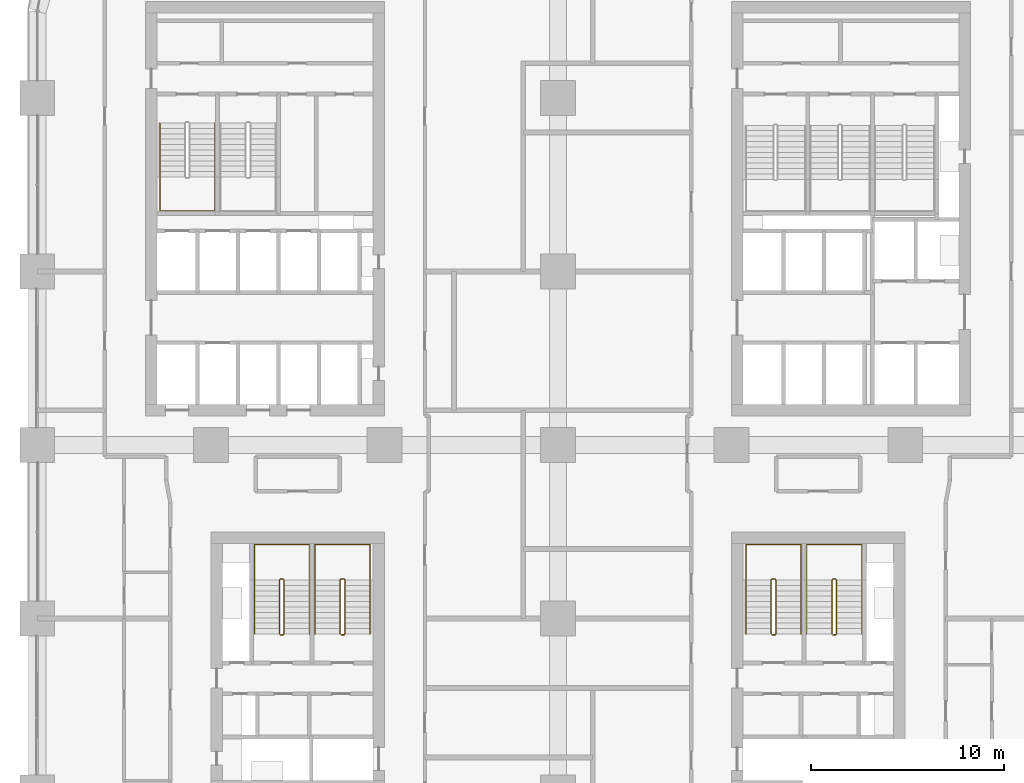
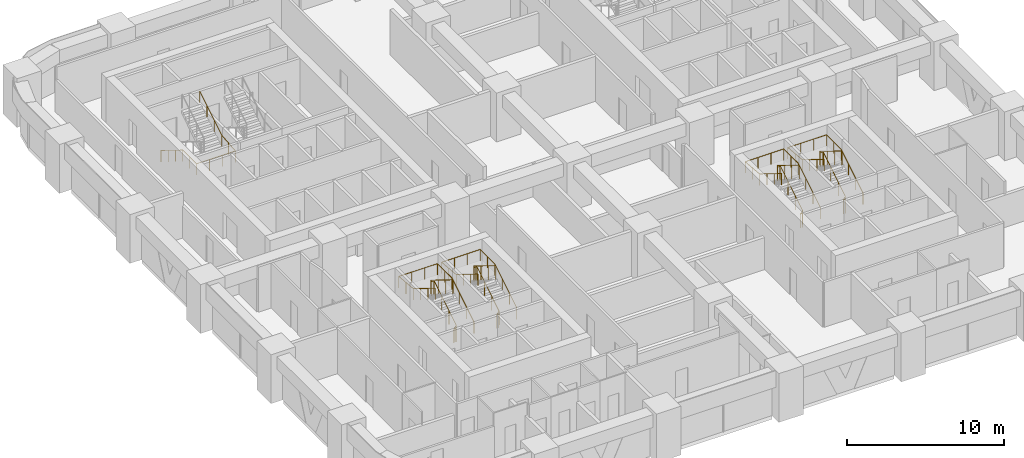
# One storey, part 20 of 21: 9 railings.
"""IFC4 building model written with IfcOpenShell, lengths in metres."""

from ifc_helpers import new_model, si_unit, direction, frame, origin, origin_2d, place, context, subcontext, project, spatial, circle, extrude, material, type_object, element, save


model = new_model("IFC4")

# Units and contexts
model_context = context("Model", 3, precision=1e-05, world=origin(), true_north=direction((0.0, 1.0)))
body_context = subcontext(model_context, "Body", "Model", "MODEL_VIEW")
ifc_project = project(units=[si_unit("LENGTHUNIT", "METRE"), si_unit("AREAUNIT", "SQUARE_METRE"), si_unit("VOLUMEUNIT", "CUBIC_METRE"), si_unit("PLANEANGLEUNIT", "RADIAN"), si_unit("MASSUNIT", "GRAM", prefix="KILO")], contexts=[model_context])

# Site, building, storey
site_placement = place(None, origin())
site = spatial("IfcSite", under=ifc_project, at=site_placement, CompositionType="ELEMENT")
building_placement = place(site_placement, origin())
building = spatial("IfcBuilding", under=site, at=building_placement, Name="Tessera Arch", CompositionType="ELEMENT")
storey_placement = place(building_placement, frame((0.0, 0.0, 69.0)))
storey = spatial("IfcBuildingStorey", under=building, at=storey_placement, Name="L15", CompositionType="ELEMENT", Elevation=69.0)

# Railings
ifc_material_1 = material(Name="Painted steel balustrade", Category="steel")
railing_type_1 = type_object("IfcRailingType", Name="Stair guard 1100", PredefinedType="GUARDRAIL", material=ifc_material_1)
railing_1_placement = place(storey_placement, frame((38.25, 17.14990234375, 0.0)))
element("IfcRailing", 1, at=railing_1_placement, inside=storey, type_object=railing_type_1, Name="L15 S3a stair guard 1", PredefinedType="GUARDRAIL", context=body_context, shape_type="SweptSolid", body=[
    extrude(circle(Radius=0.02392578125, at=origin_2d()), frame((0.00390625, 0.0, 1.076171875), z_axis=(-1.0, 0.0, 0.0), x_axis=(0.0, -1.0, 0.0)), (0.0, 0.0, 1.0), 0.157958984375),
    extrude(circle(Radius=0.02392578125, at=origin_2d()), frame((-0.15283203125, -0.000732421875, 1.073486328125), z_axis=(0.743736083135, 0.18616104645, 0.642028584587), x_axis=(-0.242814311512, 0.970072785993, 0.0)), (0.0, 0.0, 1.0), 0.27685546875),
    extrude(circle(Radius=0.02392578125, at=origin_2d()), frame((0.050048828125, 0.046630859375, 1.24658203125), z_axis=(0.0, 0.851089632645, 0.525020415988), x_axis=(-1.0, 0.0, 0.0)), (0.0, 0.0, 1.0), 3.2978515625),
    extrude(circle(Radius=0.02392578125, at=origin_2d()), frame((0.052978515625, 2.84716796875, 2.97607421875), z_axis=(-0.707106781187, 0.707106781187, 0.0), x_axis=(-0.707106781187, -0.707106781187, 0.0)), (0.0, 0.0, 1.0), 0.078857421875),
    extrude(circle(Radius=0.02392578125, at=origin_2d()), frame((0.00390625, 2.900146484375, 2.97607421875), z_axis=(-1.0, 0.0, 0.0), x_axis=(0.0, -1.0, 0.0)), (0.0, 0.0, 1.0), 0.157958984375),
    extrude(circle(Radius=0.02392578125, at=origin_2d()), frame((-0.14892578125, 2.901123046875, 2.97216796875), z_axis=(-0.267953482034, -0.267953482034, 0.925419830635), x_axis=(0.707106781187, -0.707106781187, 0.0)), (0.0, 0.0, 1.0), 0.19482421875),
    extrude(circle(Radius=0.02392578125, at=origin_2d()), frame((-0.199951171875, 2.853515625, 3.146728515625), z_axis=(0.0, -0.851089632645, 0.525020415988), x_axis=(1.0, 0.0, 0.0)), (0.0, 0.0, 1.0), 3.2978515625),
    extrude(circle(Radius=0.02099609375, at=origin_2d()), origin(), (0.0, 0.0, 1.0), 1.06396484375),
    extrude(circle(Radius=0.02099609375, at=origin_2d()), frame((-0.14990234375, 0.0, 0.0)), (0.0, 0.0, 1.0), 1.06396484375),
    extrude(circle(Radius=0.02099609375, at=origin_2d()), frame((0.050048828125, 0.050048828125, 0.172607421875)), (0.0, 0.0, 1.0), 1.06396484375),
    extrude(circle(Radius=0.02099609375, at=origin_2d()), frame((0.050048828125, 0.9833984375, 0.748291015625)), (0.0, 0.0, 1.0), 1.06396484375),
    extrude(circle(Radius=0.02099609375, at=origin_2d()), frame((0.050048828125, 1.916748046875, 1.32421875)), (0.0, 0.0, 1.0), 1.06396484375),
    extrude(circle(Radius=0.02099609375, at=origin_2d()), frame((0.050048828125, 2.85009765625, 1.89990234375)), (0.0, 0.0, 1.0), 1.06396484375),
    extrude(circle(Radius=0.02099609375, at=origin_2d()), frame((0.0, 2.900146484375, 1.89990234375)), (0.0, 0.0, 1.0), 1.06396484375),
    extrude(circle(Radius=0.02099609375, at=origin_2d()), frame((-0.14990234375, 2.900146484375, 1.89990234375)), (0.0, 0.0, 1.0), 1.06396484375),
    extrude(circle(Radius=0.02099609375, at=origin_2d()), frame((-0.199951171875, 2.85009765625, 2.07275390625)), (0.0, 0.0, 1.0), 1.06396484375),
    extrude(circle(Radius=0.02099609375, at=origin_2d()), frame((-0.199951171875, 1.916748046875, 2.6484375)), (0.0, 0.0, 1.0), 1.06396484375),
    extrude(circle(Radius=0.02099609375, at=origin_2d()), frame((-0.199951171875, 0.9833984375, 3.224365234375)), (0.0, 0.0, 1.0), 1.06396484375),
    extrude(circle(Radius=0.02099609375, at=origin_2d()), frame((-0.199951171875, 0.050048828125, 3.800048828125)), (0.0, 0.0, 1.0), 1.06396484375),
])
railing_2_placement = place(storey_placement, frame((41.39990234375, 17.14990234375, 0.0)))
element("IfcRailing", 2, at=railing_2_placement, inside=storey, type_object=railing_type_1, Name="L15 S3b stair guard 1", PredefinedType="GUARDRAIL", context=body_context, shape_type="SweptSolid", body=[
    extrude(circle(Radius=0.02392578125, at=origin_2d()), frame((0.00390625, 0.0, 1.076171875), z_axis=(-1.0, 0.0, 0.0), x_axis=(0.0, -1.0, 0.0)), (0.0, 0.0, 1.0), 0.157958984375),
    extrude(circle(Radius=0.02392578125, at=origin_2d()), frame((-0.15283203125, -0.000732421875, 1.073486328125), z_axis=(0.743736083135, 0.18616104645, 0.642028584587), x_axis=(-0.242814311512, 0.970072785993, 0.0)), (0.0, 0.0, 1.0), 0.27685546875),
    extrude(circle(Radius=0.02392578125, at=origin_2d()), frame((0.050048828125, 0.046630859375, 1.24658203125), z_axis=(0.0, 0.851089632645, 0.525020415988), x_axis=(-1.0, 0.0, 0.0)), (0.0, 0.0, 1.0), 3.2978515625),
    extrude(circle(Radius=0.02392578125, at=origin_2d()), frame((0.052978515625, 2.84716796875, 2.97607421875), z_axis=(-0.707106781187, 0.707106781187, 0.0), x_axis=(-0.707106781187, -0.707106781187, 0.0)), (0.0, 0.0, 1.0), 0.078857421875),
    extrude(circle(Radius=0.02392578125, at=origin_2d()), frame((0.00390625, 2.900146484375, 2.97607421875), z_axis=(-1.0, 0.0, 0.0), x_axis=(0.0, -1.0, 0.0)), (0.0, 0.0, 1.0), 0.157958984375),
    extrude(circle(Radius=0.02392578125, at=origin_2d()), frame((-0.14892578125, 2.901123046875, 2.97216796875), z_axis=(-0.267953482034, -0.267953482034, 0.925419830635), x_axis=(0.707106781187, -0.707106781187, 0.0)), (0.0, 0.0, 1.0), 0.19482421875),
    extrude(circle(Radius=0.02392578125, at=origin_2d()), frame((-0.199951171875, 2.853515625, 3.146728515625), z_axis=(0.0, -0.851089632645, 0.525020415988), x_axis=(1.0, 0.0, 0.0)), (0.0, 0.0, 1.0), 3.2978515625),
    extrude(circle(Radius=0.02099609375, at=origin_2d()), origin(), (0.0, 0.0, 1.0), 1.06396484375),
    extrude(circle(Radius=0.02099609375, at=origin_2d()), frame((-0.14990234375, 0.0, 0.0)), (0.0, 0.0, 1.0), 1.06396484375),
    extrude(circle(Radius=0.02099609375, at=origin_2d()), frame((0.050048828125, 0.050048828125, 0.172607421875)), (0.0, 0.0, 1.0), 1.06396484375),
    extrude(circle(Radius=0.02099609375, at=origin_2d()), frame((0.050048828125, 0.9833984375, 0.748291015625)), (0.0, 0.0, 1.0), 1.06396484375),
    extrude(circle(Radius=0.02099609375, at=origin_2d()), frame((0.050048828125, 1.916748046875, 1.32421875)), (0.0, 0.0, 1.0), 1.06396484375),
    extrude(circle(Radius=0.02099609375, at=origin_2d()), frame((0.050048828125, 2.85009765625, 1.89990234375)), (0.0, 0.0, 1.0), 1.06396484375),
    extrude(circle(Radius=0.02099609375, at=origin_2d()), frame((0.0, 2.900146484375, 1.89990234375)), (0.0, 0.0, 1.0), 1.06396484375),
    extrude(circle(Radius=0.02099609375, at=origin_2d()), frame((-0.14990234375, 2.900146484375, 1.89990234375)), (0.0, 0.0, 1.0), 1.06396484375),
    extrude(circle(Radius=0.02099609375, at=origin_2d()), frame((-0.199951171875, 2.85009765625, 2.07275390625)), (0.0, 0.0, 1.0), 1.06396484375),
    extrude(circle(Radius=0.02099609375, at=origin_2d()), frame((-0.199951171875, 1.916748046875, 2.6484375)), (0.0, 0.0, 1.0), 1.06396484375),
    extrude(circle(Radius=0.02099609375, at=origin_2d()), frame((-0.199951171875, 0.9833984375, 3.224365234375)), (0.0, 0.0, 1.0), 1.06396484375),
    extrude(circle(Radius=0.02099609375, at=origin_2d()), frame((-0.199951171875, 0.050048828125, 3.800048828125)), (0.0, 0.0, 1.0), 1.06396484375),
])
railing_3_placement = place(storey_placement, frame((15.89990234375, 17.14990234375, 0.0)))
element("IfcRailing", 3, at=railing_3_placement, inside=storey, type_object=railing_type_1, Name="L15 S4a stair guard 1", PredefinedType="GUARDRAIL", context=body_context, shape_type="SweptSolid", body=[
    extrude(circle(Radius=0.02392578125, at=origin_2d()), frame((0.00390625, 0.0, 1.076171875), z_axis=(-1.0, 0.0, 0.0), x_axis=(0.0, -1.0, 0.0)), (0.0, 0.0, 1.0), 0.157958984375),
    extrude(circle(Radius=0.02392578125, at=origin_2d()), frame((-0.15283203125, -0.000732421875, 1.073486328125), z_axis=(0.743736083135, 0.18616104645, 0.642028584587), x_axis=(-0.242814311512, 0.970072785993, 0.0)), (0.0, 0.0, 1.0), 0.27685546875),
    extrude(circle(Radius=0.02392578125, at=origin_2d()), frame((0.050048828125, 0.046630859375, 1.24658203125), z_axis=(0.0, 0.851089632645, 0.525020415988), x_axis=(-1.0, 0.0, 0.0)), (0.0, 0.0, 1.0), 3.2978515625),
    extrude(circle(Radius=0.02392578125, at=origin_2d()), frame((0.052978515625, 2.84716796875, 2.97607421875), z_axis=(-0.707106781187, 0.707106781187, 0.0), x_axis=(-0.707106781187, -0.707106781187, 0.0)), (0.0, 0.0, 1.0), 0.078857421875),
    extrude(circle(Radius=0.02392578125, at=origin_2d()), frame((0.00390625, 2.900146484375, 2.97607421875), z_axis=(-1.0, 0.0, 0.0), x_axis=(0.0, -1.0, 0.0)), (0.0, 0.0, 1.0), 0.157958984375),
    extrude(circle(Radius=0.02392578125, at=origin_2d()), frame((-0.14892578125, 2.901123046875, 2.97216796875), z_axis=(-0.267953482034, -0.267953482034, 0.925419830635), x_axis=(0.707106781187, -0.707106781187, 0.0)), (0.0, 0.0, 1.0), 0.19482421875),
    extrude(circle(Radius=0.02392578125, at=origin_2d()), frame((-0.199951171875, 2.853515625, 3.146728515625), z_axis=(0.0, -0.851089632645, 0.525020415988), x_axis=(1.0, 0.0, 0.0)), (0.0, 0.0, 1.0), 3.2978515625),
    extrude(circle(Radius=0.02099609375, at=origin_2d()), origin(), (0.0, 0.0, 1.0), 1.06396484375),
    extrude(circle(Radius=0.02099609375, at=origin_2d()), frame((-0.14990234375, 0.0, 0.0)), (0.0, 0.0, 1.0), 1.06396484375),
    extrude(circle(Radius=0.02099609375, at=origin_2d()), frame((0.050048828125, 0.050048828125, 0.172607421875)), (0.0, 0.0, 1.0), 1.06396484375),
    extrude(circle(Radius=0.02099609375, at=origin_2d()), frame((0.050048828125, 0.9833984375, 0.748291015625)), (0.0, 0.0, 1.0), 1.06396484375),
    extrude(circle(Radius=0.02099609375, at=origin_2d()), frame((0.050048828125, 1.916748046875, 1.32421875)), (0.0, 0.0, 1.0), 1.06396484375),
    extrude(circle(Radius=0.02099609375, at=origin_2d()), frame((0.050048828125, 2.85009765625, 1.89990234375)), (0.0, 0.0, 1.0), 1.06396484375),
    extrude(circle(Radius=0.02099609375, at=origin_2d()), frame((0.0, 2.900146484375, 1.89990234375)), (0.0, 0.0, 1.0), 1.06396484375),
    extrude(circle(Radius=0.02099609375, at=origin_2d()), frame((-0.14990234375, 2.900146484375, 1.89990234375)), (0.0, 0.0, 1.0), 1.06396484375),
    extrude(circle(Radius=0.02099609375, at=origin_2d()), frame((-0.199951171875, 2.85009765625, 2.07275390625)), (0.0, 0.0, 1.0), 1.06396484375),
    extrude(circle(Radius=0.02099609375, at=origin_2d()), frame((-0.199951171875, 1.916748046875, 2.6484375)), (0.0, 0.0, 1.0), 1.06396484375),
    extrude(circle(Radius=0.02099609375, at=origin_2d()), frame((-0.199951171875, 0.9833984375, 3.224365234375)), (0.0, 0.0, 1.0), 1.06396484375),
    extrude(circle(Radius=0.02099609375, at=origin_2d()), frame((-0.199951171875, 0.050048828125, 3.800048828125)), (0.0, 0.0, 1.0), 1.06396484375),
])
railing_4_placement = place(storey_placement, frame((12.75, 17.14990234375, 0.0)))
element("IfcRailing", 4, at=railing_4_placement, inside=storey, type_object=railing_type_1, Name="L15 S4b stair guard 1", PredefinedType="GUARDRAIL", context=body_context, shape_type="SweptSolid", body=[
    extrude(circle(Radius=0.02392578125, at=origin_2d()), frame((0.00390625, 0.0, 1.076171875), z_axis=(-1.0, 0.0, 0.0), x_axis=(0.0, -1.0, 0.0)), (0.0, 0.0, 1.0), 0.157958984375),
    extrude(circle(Radius=0.02392578125, at=origin_2d()), frame((-0.15283203125, -0.000732421875, 1.073486328125), z_axis=(0.743736083135, 0.18616104645, 0.642028584587), x_axis=(-0.242814311512, 0.970072785993, 0.0)), (0.0, 0.0, 1.0), 0.27685546875),
    extrude(circle(Radius=0.02392578125, at=origin_2d()), frame((0.050048828125, 0.046630859375, 1.24658203125), z_axis=(0.0, 0.851089632645, 0.525020415988), x_axis=(-1.0, 0.0, 0.0)), (0.0, 0.0, 1.0), 3.2978515625),
    extrude(circle(Radius=0.02392578125, at=origin_2d()), frame((0.052978515625, 2.84716796875, 2.97607421875), z_axis=(-0.707106781187, 0.707106781187, 0.0), x_axis=(-0.707106781187, -0.707106781187, 0.0)), (0.0, 0.0, 1.0), 0.078857421875),
    extrude(circle(Radius=0.02392578125, at=origin_2d()), frame((0.00390625, 2.900146484375, 2.97607421875), z_axis=(-1.0, 0.0, 0.0), x_axis=(0.0, -1.0, 0.0)), (0.0, 0.0, 1.0), 0.157958984375),
    extrude(circle(Radius=0.02392578125, at=origin_2d()), frame((-0.14892578125, 2.901123046875, 2.97216796875), z_axis=(-0.267953482034, -0.267953482034, 0.925419830635), x_axis=(0.707106781187, -0.707106781187, 0.0)), (0.0, 0.0, 1.0), 0.19482421875),
    extrude(circle(Radius=0.02392578125, at=origin_2d()), frame((-0.199951171875, 2.853515625, 3.146728515625), z_axis=(0.0, -0.851089632645, 0.525020415988), x_axis=(1.0, 0.0, 0.0)), (0.0, 0.0, 1.0), 3.2978515625),
    extrude(circle(Radius=0.02099609375, at=origin_2d()), origin(), (0.0, 0.0, 1.0), 1.06396484375),
    extrude(circle(Radius=0.02099609375, at=origin_2d()), frame((-0.14990234375, 0.0, 0.0)), (0.0, 0.0, 1.0), 1.06396484375),
    extrude(circle(Radius=0.02099609375, at=origin_2d()), frame((0.050048828125, 0.050048828125, 0.172607421875)), (0.0, 0.0, 1.0), 1.06396484375),
    extrude(circle(Radius=0.02099609375, at=origin_2d()), frame((0.050048828125, 0.9833984375, 0.748291015625)), (0.0, 0.0, 1.0), 1.06396484375),
    extrude(circle(Radius=0.02099609375, at=origin_2d()), frame((0.050048828125, 1.916748046875, 1.32421875)), (0.0, 0.0, 1.0), 1.06396484375),
    extrude(circle(Radius=0.02099609375, at=origin_2d()), frame((0.050048828125, 2.85009765625, 1.89990234375)), (0.0, 0.0, 1.0), 1.06396484375),
    extrude(circle(Radius=0.02099609375, at=origin_2d()), frame((0.0, 2.900146484375, 1.89990234375)), (0.0, 0.0, 1.0), 1.06396484375),
    extrude(circle(Radius=0.02099609375, at=origin_2d()), frame((-0.14990234375, 2.900146484375, 1.89990234375)), (0.0, 0.0, 1.0), 1.06396484375),
    extrude(circle(Radius=0.02099609375, at=origin_2d()), frame((-0.199951171875, 2.85009765625, 2.07275390625)), (0.0, 0.0, 1.0), 1.06396484375),
    extrude(circle(Radius=0.02099609375, at=origin_2d()), frame((-0.199951171875, 1.916748046875, 2.6484375)), (0.0, 0.0, 1.0), 1.06396484375),
    extrude(circle(Radius=0.02099609375, at=origin_2d()), frame((-0.199951171875, 0.9833984375, 3.224365234375)), (0.0, 0.0, 1.0), 1.06396484375),
    extrude(circle(Radius=0.02099609375, at=origin_2d()), frame((-0.199951171875, 0.050048828125, 3.800048828125)), (0.0, 0.0, 1.0), 1.06396484375),
])
ifc_material_2 = material(Name="Painted steel handrail", Category="steel")
railing_type_2 = type_object("IfcRailingType", Name="Stair handrail 900", PredefinedType="HANDRAIL", material=ifc_material_2)
railing_5_placement = place(storey_placement, frame((6.35009765625, 43.699951171875, 0.172607421875)))
element("IfcRailing", 5, at=railing_5_placement, inside=storey, type_object=railing_type_2, Name="L15 S2a stair handrail", PredefinedType="HANDRAIL", context=body_context, shape_type="SweptSolid", body=[
    extrude(circle(Radius=0.02392578125, at=origin_2d()), frame((0.0, 0.00341796875, 0.873779296875), z_axis=(0.0, -0.851089632645, 0.525020415988), x_axis=(1.0, 0.0, 0.0)), (0.0, 0.0, 1.0), 3.2978515625),
    extrude(circle(Radius=0.02392578125, at=origin_2d()), frame((0.0, -2.796142578125, 2.60302734375), z_axis=(0.0, -1.0, 0.0), x_axis=(1.0, 0.0, 0.0)), (0.0, 0.0, 1.0), 1.758056640625),
    extrude(circle(Radius=0.02392578125, at=origin_2d()), frame((-0.00390625, -4.550048828125, 2.60302734375), z_axis=(1.0, 0.0, 0.0), x_axis=(0.0, 1.0, 0.0)), (0.0, 0.0, 1.0), 2.85791015625),
    extrude(circle(Radius=0.02392578125, at=origin_2d()), frame((2.849853515625, -4.553955078125, 2.602783203125), z_axis=(0.0, 0.995157418657, 0.098294008428), x_axis=(-1.0, 0.0, 0.0)), (0.0, 0.0, 1.0), 1.7666015625),
    extrude(circle(Radius=0.02392578125, at=origin_2d()), frame((2.849853515625, -2.803466796875, 2.77392578125), z_axis=(0.0, 0.851089632645, 0.525020415988), x_axis=(-1.0, 0.0, 0.0)), (0.0, 0.0, 1.0), 3.2978515625),
    extrude(circle(Radius=0.02099609375, at=origin_2d()), origin(), (0.0, 0.0, 1.0), 0.86376953125),
    extrude(circle(Radius=0.02099609375, at=origin_2d()), frame((0.0, -0.933349609375, 0.57568359375)), (0.0, 0.0, 1.0), 0.86376953125),
    extrude(circle(Radius=0.02099609375, at=origin_2d()), frame((0.0, -1.86669921875, 1.151611328125)), (0.0, 0.0, 1.0), 0.86376953125),
    extrude(circle(Radius=0.02099609375, at=origin_2d()), frame((0.0, -2.800048828125, 1.727294921875)), (0.0, 0.0, 1.0), 0.86376953125),
    extrude(circle(Radius=0.02099609375, at=origin_2d()), frame((0.0, -3.675048828125, 1.727294921875)), (0.0, 0.0, 1.0), 0.86376953125),
    extrude(circle(Radius=0.02099609375, at=origin_2d()), frame((0.0, -4.550048828125, 1.727294921875)), (0.0, 0.0, 1.0), 0.86376953125),
    extrude(circle(Radius=0.02099609375, at=origin_2d()), frame((0.949951171875, -4.550048828125, 1.727294921875)), (0.0, 0.0, 1.0), 0.86376953125),
    extrude(circle(Radius=0.02099609375, at=origin_2d()), frame((1.89990234375, -4.550048828125, 1.727294921875)), (0.0, 0.0, 1.0), 0.86376953125),
    extrude(circle(Radius=0.02099609375, at=origin_2d()), frame((2.849853515625, -4.550048828125, 1.727294921875)), (0.0, 0.0, 1.0), 0.86376953125),
    extrude(circle(Radius=0.02099609375, at=origin_2d()), frame((2.849853515625, -3.675048828125, 1.813720703125)), (0.0, 0.0, 1.0), 0.86376953125),
    extrude(circle(Radius=0.02099609375, at=origin_2d()), frame((2.849853515625, -2.800048828125, 1.900146484375)), (0.0, 0.0, 1.0), 0.86376953125),
    extrude(circle(Radius=0.02099609375, at=origin_2d()), frame((2.849853515625, -1.86669921875, 2.475830078125)), (0.0, 0.0, 1.0), 0.86376953125),
    extrude(circle(Radius=0.02099609375, at=origin_2d()), frame((2.849853515625, -0.933349609375, 3.0517578125)), (0.0, 0.0, 1.0), 0.86376953125),
    extrude(circle(Radius=0.02099609375, at=origin_2d()), frame((2.849853515625, 0.0, 3.62744140625)), (0.0, 0.0, 1.0), 0.86376953125),
])
railing_6_placement = place(storey_placement, frame((39.60009765625, 17.199951171875, 0.172607421875)))
element("IfcRailing", 6, at=railing_6_placement, inside=storey, type_object=railing_type_2, Name="L15 S3a stair handrail", PredefinedType="HANDRAIL", context=body_context, shape_type="SweptSolid", body=[
    extrude(circle(Radius=0.02392578125, at=origin_2d()), frame((0.0, -0.00341796875, 0.873779296875), z_axis=(0.0, 0.851089632645, 0.525020415988), x_axis=(-1.0, 0.0, 0.0)), (0.0, 0.0, 1.0), 3.2978515625),
    extrude(circle(Radius=0.02392578125, at=origin_2d()), frame((0.0, 2.796142578125, 2.60302734375), z_axis=(0.0, 1.0, 0.0), x_axis=(-1.0, 0.0, 0.0)), (0.0, 0.0, 1.0), 1.858154296875),
    extrude(circle(Radius=0.02392578125, at=origin_2d()), frame((0.00390625, 4.650146484375, 2.60302734375), z_axis=(-1.0, 0.0, 0.0), x_axis=(0.0, -1.0, 0.0)), (0.0, 0.0, 1.0), 2.858154296875),
    extrude(circle(Radius=0.02392578125, at=origin_2d()), frame((-2.85009765625, 4.654052734375, 2.602783203125), z_axis=(0.0, -0.99566393824, 0.093023234135), x_axis=(1.0, 0.0, 0.0)), (0.0, 0.0, 1.0), 1.8662109375),
    extrude(circle(Radius=0.02392578125, at=origin_2d()), frame((-2.85009765625, 2.803466796875, 2.77392578125), z_axis=(0.0, -0.851089632645, 0.525020415988), x_axis=(1.0, 0.0, 0.0)), (0.0, 0.0, 1.0), 3.2978515625),
    extrude(circle(Radius=0.02099609375, at=origin_2d()), origin(), (0.0, 0.0, 1.0), 0.86376953125),
    extrude(circle(Radius=0.02099609375, at=origin_2d()), frame((0.0, 0.933349609375, 0.57568359375)), (0.0, 0.0, 1.0), 0.86376953125),
    extrude(circle(Radius=0.02099609375, at=origin_2d()), frame((0.0, 1.86669921875, 1.151611328125)), (0.0, 0.0, 1.0), 0.86376953125),
    extrude(circle(Radius=0.02099609375, at=origin_2d()), frame((0.0, 2.800048828125, 1.727294921875)), (0.0, 0.0, 1.0), 0.86376953125),
    extrude(circle(Radius=0.02099609375, at=origin_2d()), frame((0.0, 3.72509765625, 1.727294921875)), (0.0, 0.0, 1.0), 0.86376953125),
    extrude(circle(Radius=0.02099609375, at=origin_2d()), frame((0.0, 4.650146484375, 1.727294921875)), (0.0, 0.0, 1.0), 0.86376953125),
    extrude(circle(Radius=0.02099609375, at=origin_2d()), frame((-0.949951171875, 4.650146484375, 1.727294921875)), (0.0, 0.0, 1.0), 0.86376953125),
    extrude(circle(Radius=0.02099609375, at=origin_2d()), frame((-1.900146484375, 4.650146484375, 1.727294921875)), (0.0, 0.0, 1.0), 0.86376953125),
    extrude(circle(Radius=0.02099609375, at=origin_2d()), frame((-2.85009765625, 4.650146484375, 1.727294921875)), (0.0, 0.0, 1.0), 0.86376953125),
    extrude(circle(Radius=0.02099609375, at=origin_2d()), frame((-2.85009765625, 3.72509765625, 1.813720703125)), (0.0, 0.0, 1.0), 0.86376953125),
    extrude(circle(Radius=0.02099609375, at=origin_2d()), frame((-2.85009765625, 2.800048828125, 1.900146484375)), (0.0, 0.0, 1.0), 0.86376953125),
    extrude(circle(Radius=0.02099609375, at=origin_2d()), frame((-2.85009765625, 1.86669921875, 2.475830078125)), (0.0, 0.0, 1.0), 0.86376953125),
    extrude(circle(Radius=0.02099609375, at=origin_2d()), frame((-2.85009765625, 0.933349609375, 3.0517578125)), (0.0, 0.0, 1.0), 0.86376953125),
    extrude(circle(Radius=0.02099609375, at=origin_2d()), frame((-2.85009765625, 0.0, 3.62744140625)), (0.0, 0.0, 1.0), 0.86376953125),
])
railing_7_placement = place(storey_placement, frame((42.75, 17.199951171875, 0.172607421875)))
element("IfcRailing", 7, at=railing_7_placement, inside=storey, type_object=railing_type_2, Name="L15 S3b stair handrail", PredefinedType="HANDRAIL", context=body_context, shape_type="SweptSolid", body=[
    extrude(circle(Radius=0.02392578125, at=origin_2d()), frame((0.0, -0.00341796875, 0.873779296875), z_axis=(0.0, 0.851089632645, 0.525020415988), x_axis=(-1.0, 0.0, 0.0)), (0.0, 0.0, 1.0), 3.2978515625),
    extrude(circle(Radius=0.02392578125, at=origin_2d()), frame((0.0, 2.796142578125, 2.60302734375), z_axis=(0.0, 1.0, 0.0), x_axis=(-1.0, 0.0, 0.0)), (0.0, 0.0, 1.0), 1.858154296875),
    extrude(circle(Radius=0.02392578125, at=origin_2d()), frame((0.00390625, 4.650146484375, 2.60302734375), z_axis=(-1.0, 0.0, 0.0), x_axis=(0.0, -1.0, 0.0)), (0.0, 0.0, 1.0), 2.858154296875),
    extrude(circle(Radius=0.02392578125, at=origin_2d()), frame((-2.85009765625, 4.654052734375, 2.602783203125), z_axis=(0.0, -0.99566393824, 0.093023234135), x_axis=(1.0, 0.0, 0.0)), (0.0, 0.0, 1.0), 1.8662109375),
    extrude(circle(Radius=0.02392578125, at=origin_2d()), frame((-2.85009765625, 2.803466796875, 2.77392578125), z_axis=(0.0, -0.851089632645, 0.525020415988), x_axis=(1.0, 0.0, 0.0)), (0.0, 0.0, 1.0), 3.2978515625),
    extrude(circle(Radius=0.02099609375, at=origin_2d()), origin(), (0.0, 0.0, 1.0), 0.86376953125),
    extrude(circle(Radius=0.02099609375, at=origin_2d()), frame((0.0, 0.933349609375, 0.57568359375)), (0.0, 0.0, 1.0), 0.86376953125),
    extrude(circle(Radius=0.02099609375, at=origin_2d()), frame((0.0, 1.86669921875, 1.151611328125)), (0.0, 0.0, 1.0), 0.86376953125),
    extrude(circle(Radius=0.02099609375, at=origin_2d()), frame((0.0, 2.800048828125, 1.727294921875)), (0.0, 0.0, 1.0), 0.86376953125),
    extrude(circle(Radius=0.02099609375, at=origin_2d()), frame((0.0, 3.72509765625, 1.727294921875)), (0.0, 0.0, 1.0), 0.86376953125),
    extrude(circle(Radius=0.02099609375, at=origin_2d()), frame((0.0, 4.650146484375, 1.727294921875)), (0.0, 0.0, 1.0), 0.86376953125),
    extrude(circle(Radius=0.02099609375, at=origin_2d()), frame((-0.949951171875, 4.650146484375, 1.727294921875)), (0.0, 0.0, 1.0), 0.86376953125),
    extrude(circle(Radius=0.02099609375, at=origin_2d()), frame((-1.900146484375, 4.650146484375, 1.727294921875)), (0.0, 0.0, 1.0), 0.86376953125),
    extrude(circle(Radius=0.02099609375, at=origin_2d()), frame((-2.85009765625, 4.650146484375, 1.727294921875)), (0.0, 0.0, 1.0), 0.86376953125),
    extrude(circle(Radius=0.02099609375, at=origin_2d()), frame((-2.85009765625, 3.72509765625, 1.813720703125)), (0.0, 0.0, 1.0), 0.86376953125),
    extrude(circle(Radius=0.02099609375, at=origin_2d()), frame((-2.85009765625, 2.800048828125, 1.900146484375)), (0.0, 0.0, 1.0), 0.86376953125),
    extrude(circle(Radius=0.02099609375, at=origin_2d()), frame((-2.85009765625, 1.86669921875, 2.475830078125)), (0.0, 0.0, 1.0), 0.86376953125),
    extrude(circle(Radius=0.02099609375, at=origin_2d()), frame((-2.85009765625, 0.933349609375, 3.0517578125)), (0.0, 0.0, 1.0), 0.86376953125),
    extrude(circle(Radius=0.02099609375, at=origin_2d()), frame((-2.85009765625, 0.0, 3.62744140625)), (0.0, 0.0, 1.0), 0.86376953125),
])
railing_8_placement = place(storey_placement, frame((17.25, 17.199951171875, 0.172607421875)))
element("IfcRailing", 8, at=railing_8_placement, inside=storey, type_object=railing_type_2, Name="L15 S4a stair handrail", PredefinedType="HANDRAIL", context=body_context, shape_type="SweptSolid", body=[
    extrude(circle(Radius=0.02392578125, at=origin_2d()), frame((0.0, -0.00341796875, 0.873779296875), z_axis=(0.0, 0.851089632645, 0.525020415988), x_axis=(-1.0, 0.0, 0.0)), (0.0, 0.0, 1.0), 3.2978515625),
    extrude(circle(Radius=0.02392578125, at=origin_2d()), frame((0.0, 2.796142578125, 2.60302734375), z_axis=(0.0, 1.0, 0.0), x_axis=(-1.0, 0.0, 0.0)), (0.0, 0.0, 1.0), 1.858154296875),
    extrude(circle(Radius=0.02392578125, at=origin_2d()), frame((0.00390625, 4.650146484375, 2.60302734375), z_axis=(-1.0, 0.0, 0.0), x_axis=(0.0, -1.0, 0.0)), (0.0, 0.0, 1.0), 2.858154296875),
    extrude(circle(Radius=0.02392578125, at=origin_2d()), frame((-2.85009765625, 4.654052734375, 2.602783203125), z_axis=(0.0, -0.99566393824, 0.093023234135), x_axis=(1.0, 0.0, 0.0)), (0.0, 0.0, 1.0), 1.8662109375),
    extrude(circle(Radius=0.02392578125, at=origin_2d()), frame((-2.85009765625, 2.803466796875, 2.77392578125), z_axis=(0.0, -0.851089632645, 0.525020415988), x_axis=(1.0, 0.0, 0.0)), (0.0, 0.0, 1.0), 3.2978515625),
    extrude(circle(Radius=0.02099609375, at=origin_2d()), origin(), (0.0, 0.0, 1.0), 0.86376953125),
    extrude(circle(Radius=0.02099609375, at=origin_2d()), frame((0.0, 0.933349609375, 0.57568359375)), (0.0, 0.0, 1.0), 0.86376953125),
    extrude(circle(Radius=0.02099609375, at=origin_2d()), frame((0.0, 1.86669921875, 1.151611328125)), (0.0, 0.0, 1.0), 0.86376953125),
    extrude(circle(Radius=0.02099609375, at=origin_2d()), frame((0.0, 2.800048828125, 1.727294921875)), (0.0, 0.0, 1.0), 0.86376953125),
    extrude(circle(Radius=0.02099609375, at=origin_2d()), frame((0.0, 3.72509765625, 1.727294921875)), (0.0, 0.0, 1.0), 0.86376953125),
    extrude(circle(Radius=0.02099609375, at=origin_2d()), frame((0.0, 4.650146484375, 1.727294921875)), (0.0, 0.0, 1.0), 0.86376953125),
    extrude(circle(Radius=0.02099609375, at=origin_2d()), frame((-0.949951171875, 4.650146484375, 1.727294921875)), (0.0, 0.0, 1.0), 0.86376953125),
    extrude(circle(Radius=0.02099609375, at=origin_2d()), frame((-1.900146484375, 4.650146484375, 1.727294921875)), (0.0, 0.0, 1.0), 0.86376953125),
    extrude(circle(Radius=0.02099609375, at=origin_2d()), frame((-2.85009765625, 4.650146484375, 1.727294921875)), (0.0, 0.0, 1.0), 0.86376953125),
    extrude(circle(Radius=0.02099609375, at=origin_2d()), frame((-2.85009765625, 3.72509765625, 1.813720703125)), (0.0, 0.0, 1.0), 0.86376953125),
    extrude(circle(Radius=0.02099609375, at=origin_2d()), frame((-2.85009765625, 2.800048828125, 1.900146484375)), (0.0, 0.0, 1.0), 0.86376953125),
    extrude(circle(Radius=0.02099609375, at=origin_2d()), frame((-2.85009765625, 1.86669921875, 2.475830078125)), (0.0, 0.0, 1.0), 0.86376953125),
    extrude(circle(Radius=0.02099609375, at=origin_2d()), frame((-2.85009765625, 0.933349609375, 3.0517578125)), (0.0, 0.0, 1.0), 0.86376953125),
    extrude(circle(Radius=0.02099609375, at=origin_2d()), frame((-2.85009765625, 0.0, 3.62744140625)), (0.0, 0.0, 1.0), 0.86376953125),
])
railing_9_placement = place(storey_placement, frame((14.10009765625, 17.199951171875, 0.172607421875)))
element("IfcRailing", 9, at=railing_9_placement, inside=storey, type_object=railing_type_2, Name="L15 S4b stair handrail", PredefinedType="HANDRAIL", context=body_context, shape_type="SweptSolid", body=[
    extrude(circle(Radius=0.02392578125, at=origin_2d()), frame((0.0, -0.00341796875, 0.873779296875), z_axis=(0.0, 0.851089632645, 0.525020415988), x_axis=(-1.0, 0.0, 0.0)), (0.0, 0.0, 1.0), 3.2978515625),
    extrude(circle(Radius=0.02392578125, at=origin_2d()), frame((0.0, 2.796142578125, 2.60302734375), z_axis=(0.0, 1.0, 0.0), x_axis=(-1.0, 0.0, 0.0)), (0.0, 0.0, 1.0), 1.858154296875),
    extrude(circle(Radius=0.02392578125, at=origin_2d()), frame((0.00390625, 4.650146484375, 2.60302734375), z_axis=(-1.0, 0.0, 0.0), x_axis=(0.0, -1.0, 0.0)), (0.0, 0.0, 1.0), 2.858154296875),
    extrude(circle(Radius=0.02392578125, at=origin_2d()), frame((-2.85009765625, 4.654052734375, 2.602783203125), z_axis=(0.0, -0.99566393824, 0.093023234135), x_axis=(1.0, 0.0, 0.0)), (0.0, 0.0, 1.0), 1.8662109375),
    extrude(circle(Radius=0.02392578125, at=origin_2d()), frame((-2.85009765625, 2.803466796875, 2.77392578125), z_axis=(0.0, -0.851089632645, 0.525020415988), x_axis=(1.0, 0.0, 0.0)), (0.0, 0.0, 1.0), 3.2978515625),
    extrude(circle(Radius=0.02099609375, at=origin_2d()), origin(), (0.0, 0.0, 1.0), 0.86376953125),
    extrude(circle(Radius=0.02099609375, at=origin_2d()), frame((0.0, 0.933349609375, 0.57568359375)), (0.0, 0.0, 1.0), 0.86376953125),
    extrude(circle(Radius=0.02099609375, at=origin_2d()), frame((0.0, 1.86669921875, 1.151611328125)), (0.0, 0.0, 1.0), 0.86376953125),
    extrude(circle(Radius=0.02099609375, at=origin_2d()), frame((0.0, 2.800048828125, 1.727294921875)), (0.0, 0.0, 1.0), 0.86376953125),
    extrude(circle(Radius=0.02099609375, at=origin_2d()), frame((0.0, 3.72509765625, 1.727294921875)), (0.0, 0.0, 1.0), 0.86376953125),
    extrude(circle(Radius=0.02099609375, at=origin_2d()), frame((0.0, 4.650146484375, 1.727294921875)), (0.0, 0.0, 1.0), 0.86376953125),
    extrude(circle(Radius=0.02099609375, at=origin_2d()), frame((-0.949951171875, 4.650146484375, 1.727294921875)), (0.0, 0.0, 1.0), 0.86376953125),
    extrude(circle(Radius=0.02099609375, at=origin_2d()), frame((-1.900146484375, 4.650146484375, 1.727294921875)), (0.0, 0.0, 1.0), 0.86376953125),
    extrude(circle(Radius=0.02099609375, at=origin_2d()), frame((-2.85009765625, 4.650146484375, 1.727294921875)), (0.0, 0.0, 1.0), 0.86376953125),
    extrude(circle(Radius=0.02099609375, at=origin_2d()), frame((-2.85009765625, 3.72509765625, 1.813720703125)), (0.0, 0.0, 1.0), 0.86376953125),
    extrude(circle(Radius=0.02099609375, at=origin_2d()), frame((-2.85009765625, 2.800048828125, 1.900146484375)), (0.0, 0.0, 1.0), 0.86376953125),
    extrude(circle(Radius=0.02099609375, at=origin_2d()), frame((-2.85009765625, 1.86669921875, 2.475830078125)), (0.0, 0.0, 1.0), 0.86376953125),
    extrude(circle(Radius=0.02099609375, at=origin_2d()), frame((-2.85009765625, 0.933349609375, 3.0517578125)), (0.0, 0.0, 1.0), 0.86376953125),
    extrude(circle(Radius=0.02099609375, at=origin_2d()), frame((-2.85009765625, 0.0, 3.62744140625)), (0.0, 0.0, 1.0), 0.86376953125),
])

save(model, "model.ifc")
